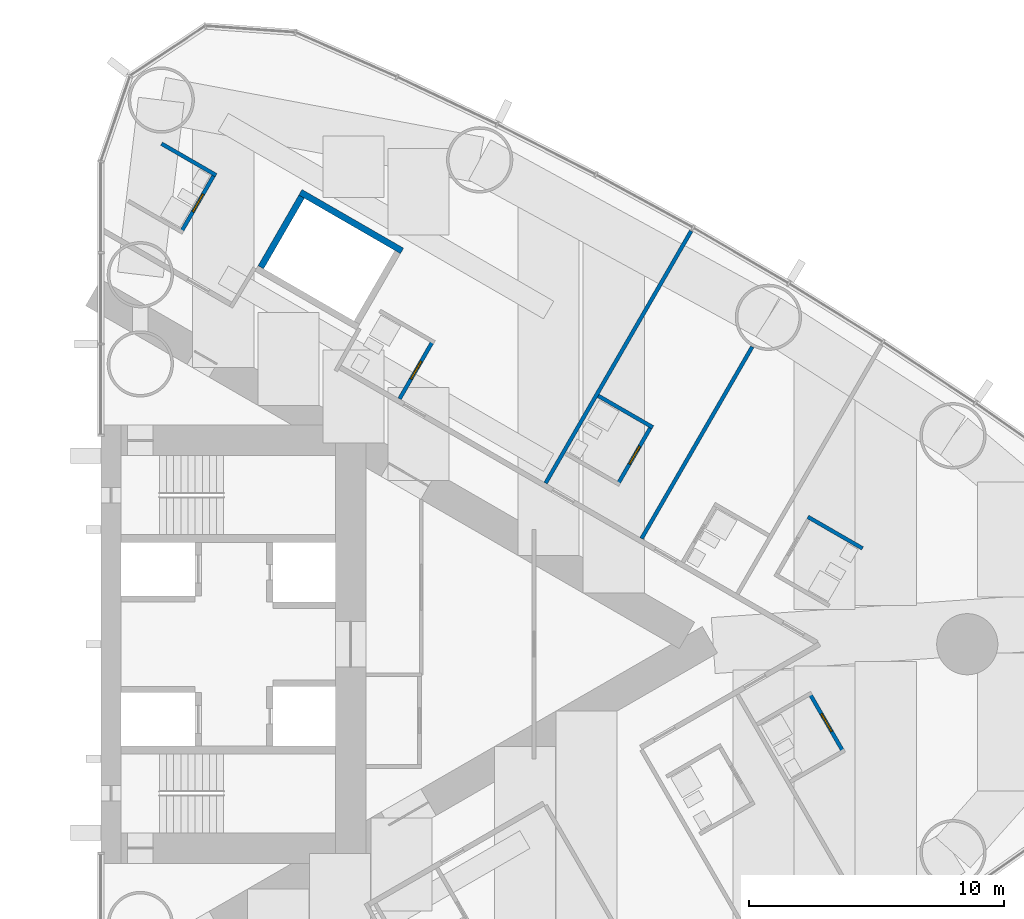
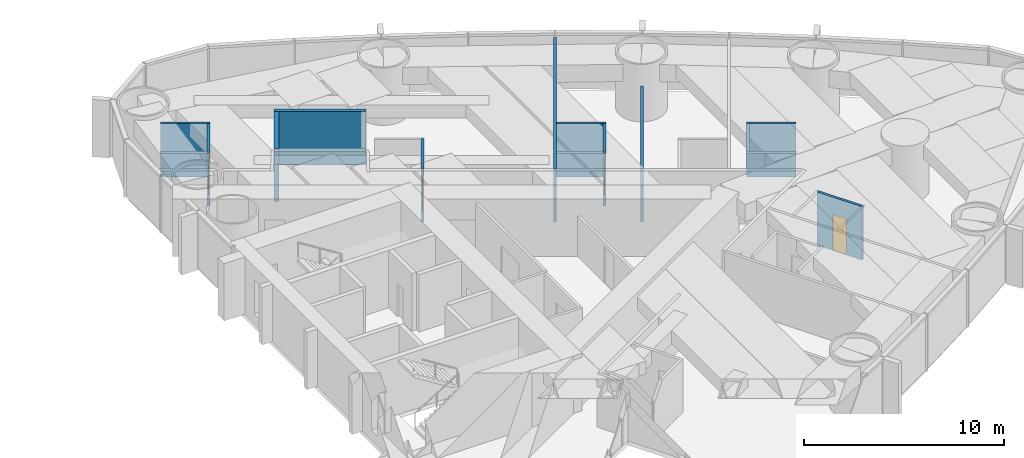
# One storey, part 15 of 18: 11 walls, 4 doors, 4 openings.
"""IFC4 building model written with IfcOpenShell, lengths in metres."""

from ifc_helpers import new_model, si_unit, direction, frame, frame_2d, origin, place, context, subcontext, project, spatial, rectangle, extrude, material, layer, layer_set, type_object, element, fill, save


model = new_model("IFC4")

# Units and contexts
model_context = context("Model", 3, precision=1e-05, world=origin(), true_north=direction((0.0, 1.0)))
body_context = subcontext(model_context, "Body", "Model", "MODEL_VIEW")
ifc_project = project(units=[si_unit("LENGTHUNIT", "METRE"), si_unit("AREAUNIT", "SQUARE_METRE"), si_unit("VOLUMEUNIT", "CUBIC_METRE"), si_unit("PLANEANGLEUNIT", "RADIAN"), si_unit("MASSUNIT", "GRAM", prefix="KILO")], contexts=[model_context])

# Site, building, storey
site_placement = place(None, origin())
site = spatial("IfcSite", under=ifc_project, at=site_placement, CompositionType="ELEMENT")
building_placement = place(site_placement, origin())
building = spatial("IfcBuilding", under=site, at=building_placement, Name="Lancet Gate Hotel", CompositionType="ELEMENT")
storey_placement = place(building_placement, frame((0.0, 0.0, 101.10009765625)))
storey = spatial("IfcBuildingStorey", under=building, at=storey_placement, Name="L26", CompositionType="ELEMENT", Elevation=101.10009765625)

# Wall, opening, door
ifc_material_1 = material(Name="Moisture resistant board partition")
ifc_layer_1 = layer(ifc_material_1, 0.14990234375)
ifc_layer_set_1 = layer_set([ifc_layer_1], Name="Bathroom wall 150")
wall_type_1 = type_object("IfcWallType", Name="Bathroom wall 150", PredefinedType="PARTITIONING", material=ifc_layer_set_1)
wall_1_placement = place(storey_placement, frame((55.32470703125, -1.949951171875, 0.0), z_axis=(0.0, 0.0, 1.0), x_axis=(0.500006934395, -0.866021400173, 0.0)))
wall_1 = element("IfcWall", 1, at=wall_1_placement, inside=storey, type_object=wall_type_1, Name="T2 bathroom wall 150 L26", PredefinedType="PARTITIONING", context=body_context, shape_type="SweptSolid", body=[
    extrude(rectangle(XDim=2.60009765625, YDim=0.14990234375, at=frame_2d((1.300048828125, 0.0))), origin(), (0.0, 0.0, 1.0), 3.25),
])
opening_1_placement = place(wall_1_placement, frame((0.89990234375, 0.0, 0.0)))
opening_1 = element("IfcOpeningElement", 2, at=opening_1_placement, cuts=wall_1, Name="Opening 2657-B", PredefinedType="OPENING", context=body_context, shape_type="SweptSolid", body=[
    extrude(rectangle(XDim=0.800048828125, YDim=2.199951171875, at=frame_2d((0.39990234375, 1.10009765625))), frame((0.0, 0.0849609375, 0.0), z_axis=(0.0, -1.0, 0.0), x_axis=(1.0, 0.0, 0.0)), (0.0, 0.0, 1.0), 0.169921875),
])
ifc_material_2 = material(Name="Timber door set", Category="wood")
door_type = type_object("IfcDoorType", Name="Bathroom door 800", OperationType="SINGLE_SWING_RIGHT", PredefinedType="DOOR", material=ifc_material_2)
door_1_placement = place(opening_1_placement, origin())
door_1 = element("IfcDoor", 3, at=door_1_placement, inside=storey, type_object=door_type, Name="2657-B", OperationType="SINGLE_SWING_RIGHT", OverallHeight=2.199951171875, OverallWidth=0.800048828125, PredefinedType="DOOR", context=body_context, shape_type="SweptSolid", body=[
    extrude(rectangle(XDim=0.800048828125, YDim=2.199951171875, at=frame_2d((0.39990234375, 1.10009765625))), frame((0.0, 0.02490234375, 0.0), z_axis=(0.0, -1.0, 0.0), x_axis=(1.0, 0.0, 0.0)), (0.0, 0.0, 1.0), 0.050048828125),
])
fill(opening_1, door_1)

# Walls
for number, where, z_axis, x_axis, name in (
    (4, (55.2451171875, 4.998291015625, 0.0), (0.0, 0.0, 1.0), (0.866006523861, -0.500032699561, 0.0), "T2 bathroom wall 150 L26"),
    (5, (47.0185546875, 9.747802734375, 0.0), (0.0, 0.0, 1.0), (0.866006523861, -0.500032699561, 0.0), "T2 bathroom wall 150 L26"),
):
    element("IfcWall", number, at=place(storey_placement, frame(where, z_axis=z_axis, x_axis=x_axis)), inside=storey, type_object=wall_type_1, Name=name, PredefinedType="PARTITIONING", context=body_context, shape_type="SweptSolid", body=[
        extrude(rectangle(XDim=2.474853515625, YDim=0.14990234375, at=frame_2d((1.2373046875, 0.0))), origin(), (0.0, 0.0, 1.0), 3.25),
    ])

# Wall, opening, door
wall_2_placement = place(storey_placement, frame((47.797119140625, 6.296142578125, 0.0), z_axis=(0.0, 0.0, 1.0), x_axis=(0.499936506574, 0.866062058628, 0.0)))
wall_2 = element("IfcWall", 6, at=wall_2_placement, inside=storey, type_object=wall_type_1, Name="T2 bathroom wall 150 L26", PredefinedType="PARTITIONING", context=body_context, shape_type="SweptSolid", body=[
    extrude(rectangle(XDim=2.599853515625, YDim=0.14990234375, at=frame_2d((1.2998046875, 0.0))), origin(), (0.0, 0.0, 1.0), 3.25),
])
opening_2_placement = place(wall_2_placement, frame((0.89990234375, 0.0, 0.0)))
opening_2 = element("IfcOpeningElement", 7, at=opening_2_placement, cuts=wall_2, Name="Opening 2660-B", PredefinedType="OPENING", context=body_context, shape_type="SweptSolid", body=[
    extrude(rectangle(XDim=0.800048828125, YDim=2.199951171875, at=frame_2d((0.39990234375, 1.10009765625))), frame((0.0, 0.0849609375, 0.0), z_axis=(0.0, -1.0, 0.0), x_axis=(1.0, 0.0, 0.0)), (0.0, 0.0, 1.0), 0.169921875),
])
door_2_placement = place(opening_2_placement, origin())
door_2 = element("IfcDoor", 8, at=door_2_placement, inside=storey, type_object=door_type, Name="2660-B", OperationType="SINGLE_SWING_RIGHT", OverallHeight=2.199951171875, OverallWidth=0.800048828125, PredefinedType="DOOR", context=body_context, shape_type="SweptSolid", body=[
    extrude(rectangle(XDim=0.800048828125, YDim=2.199951171875, at=frame_2d((0.39990234375, 1.10009765625))), frame((0.0, 0.02490234375, 0.0), z_axis=(0.0, -1.0, 0.0), x_axis=(1.0, 0.0, 0.0)), (0.0, 0.0, 1.0), 0.050048828125),
])
fill(opening_2, door_2)

wall_3_placement = place(storey_placement, frame((39.222412109375, 9.630126953125, 0.0), z_axis=(0.0, 0.0, 1.0), x_axis=(0.499936506574, 0.866062058628, 0.0)))
wall_3 = element("IfcWall", 9, at=wall_3_placement, inside=storey, type_object=wall_type_1, Name="T2 bathroom wall 150 L26", PredefinedType="PARTITIONING", context=body_context, shape_type="SweptSolid", body=[
    extrude(rectangle(XDim=2.599853515625, YDim=0.14990234375, at=frame_2d((1.2998046875, 0.0))), origin(), (0.0, 0.0, 1.0), 3.25),
])
opening_3_placement = place(wall_3_placement, frame((0.89990234375, 0.0, 0.0)))
opening_3 = element("IfcOpeningElement", 10, at=opening_3_placement, cuts=wall_3, Name="Opening 2661-B", PredefinedType="OPENING", context=body_context, shape_type="SweptSolid", body=[
    extrude(rectangle(XDim=0.800048828125, YDim=2.199951171875, at=frame_2d((0.39990234375, 1.10009765625))), frame((0.0, 0.0849609375, 0.0), z_axis=(0.0, -1.0, 0.0), x_axis=(1.0, 0.0, 0.0)), (0.0, 0.0, 1.0), 0.169921875),
])
door_3_placement = place(opening_3_placement, origin())
door_3 = element("IfcDoor", 11, at=door_3_placement, inside=storey, type_object=door_type, Name="2661-B", OperationType="SINGLE_SWING_RIGHT", OverallHeight=2.199951171875, OverallWidth=0.800048828125, PredefinedType="DOOR", context=body_context, shape_type="SweptSolid", body=[
    extrude(rectangle(XDim=0.800048828125, YDim=2.199951171875, at=frame_2d((0.39990234375, 1.10009765625))), frame((0.0, 0.02490234375, 0.0), z_axis=(0.0, -1.0, 0.0), x_axis=(1.0, 0.0, 0.0)), (0.0, 0.0, 1.0), 0.050048828125),
])
fill(opening_3, door_3)

# Wall
wall_4_placement = place(storey_placement, frame((29.8818359375, 19.6416015625, 0.0), z_axis=(0.0, 0.0, 1.0), x_axis=(0.866031185235, -0.4999899861, 0.0)))
element("IfcWall", 12, at=wall_4_placement, inside=storey, type_object=wall_type_1, Name="T2 bathroom wall 150 L26", PredefinedType="PARTITIONING", context=body_context, shape_type="SweptSolid", body=[
    extrude(rectangle(XDim=2.47509765625, YDim=0.14990234375, at=frame_2d((1.237548828125, 0.0))), origin(), (0.0, 0.0, 1.0), 3.25),
])

# Wall, opening, door
wall_5_placement = place(storey_placement, frame((30.660400390625, 16.18994140625, 0.0), z_axis=(0.0, 0.0, 1.0), x_axis=(0.499936506574, 0.866062058628, 0.0)))
wall_5 = element("IfcWall", 13, at=wall_5_placement, inside=storey, type_object=wall_type_1, Name="T2 bathroom wall 150 L26", PredefinedType="PARTITIONING", context=body_context, shape_type="SweptSolid", body=[
    extrude(rectangle(XDim=2.599853515625, YDim=0.14990234375, at=frame_2d((1.2998046875, 0.0))), origin(), (0.0, 0.0, 1.0), 3.25),
])
opening_4_placement = place(wall_5_placement, frame((0.89990234375, 0.0, 0.0)))
opening_4 = element("IfcOpeningElement", 14, at=opening_4_placement, cuts=wall_5, Name="Opening 2664-B", PredefinedType="OPENING", context=body_context, shape_type="SweptSolid", body=[
    extrude(rectangle(XDim=0.800048828125, YDim=2.199951171875, at=frame_2d((0.39990234375, 1.10009765625))), frame((0.0, 0.0849609375, 0.0), z_axis=(0.0, -1.0, 0.0), x_axis=(1.0, 0.0, 0.0)), (0.0, 0.0, 1.0), 0.169921875),
])
door_4_placement = place(opening_4_placement, origin())
door_4 = element("IfcDoor", 15, at=door_4_placement, inside=storey, type_object=door_type, Name="2664-B", OperationType="SINGLE_SWING_RIGHT", OverallHeight=2.199951171875, OverallWidth=0.800048828125, PredefinedType="DOOR", context=body_context, shape_type="SweptSolid", body=[
    extrude(rectangle(XDim=0.800048828125, YDim=2.199951171875, at=frame_2d((0.39990234375, 1.10009765625))), frame((0.0, 0.02490234375, 0.0), z_axis=(0.0, -1.0, 0.0), x_axis=(1.0, 0.0, 0.0)), (0.0, 0.0, 1.0), 0.050048828125),
])
fill(opening_4, door_4)

# Walls
ifc_material_3 = material(Name="Gypsum board partition")
ifc_layer_2 = layer(ifc_material_3, 0.25)
ifc_layer_set_2 = layer_set([ifc_layer_2], Name="Lift shaft partition 250")
wall_type_2 = type_object("IfcWallType", Name="Lift shaft partition 250", PredefinedType="PARTITIONING", material=ifc_layer_set_2)
wall_6_placement = place(storey_placement, frame((35.33349609375, 17.73583984375, 0.0), z_axis=(0.0, 0.0, 1.0), x_axis=(0.866043305498, -0.49996899204, 0.0)))
element("IfcWall", 16, at=wall_6_placement, inside=storey, type_object=wall_type_2, Name="T2 lift shaft wall EX L26", PredefinedType="PARTITIONING", context=body_context, shape_type="SweptSolid", body=[
    extrude(rectangle(XDim=4.600341796875, YDim=0.25, at=frame_2d((2.30029296875, 0.0))), origin(), (0.0, 0.0, 1.0), 3.25),
])
wall_7_placement = place(storey_placement, frame((33.779296875, 14.79296875, 0.0), z_axis=(0.0, 0.0, 1.0), x_axis=(0.499929347863, 0.866066190972, 0.0)))
element("IfcWall", 17, at=wall_7_placement, inside=storey, type_object=wall_type_2, Name="T2 lift shaft wall EX L26", PredefinedType="PARTITIONING", context=body_context, shape_type="SweptSolid", body=[
    extrude(rectangle(XDim=3.20068359375, YDim=0.25, at=frame_2d((1.600341796875, 0.0))), origin(), (0.0, 0.0, 1.0), 3.25),
])
ifc_material_4 = material(Name="Gypsum board partition")
ifc_layer_3 = layer(ifc_material_4, 0.14990234375)
ifc_layer_set_3 = layer_set([ifc_layer_3], Name="Party wall 150")
wall_type_3 = type_object("IfcWallType", Name="Party wall 150", PredefinedType="PARTITIONING", material=ifc_layer_set_3)
wall_8_placement = place(storey_placement, frame((44.95361328125, 6.3212890625, 0.0), z_axis=(0.0, 0.0, 1.0), x_axis=(0.500009815811, 0.866019736549, 0.0)))
element("IfcWall", 18, at=wall_8_placement, inside=storey, type_object=wall_type_3, Name="T2 party wall 150 L26", PredefinedType="PARTITIONING", context=body_context, shape_type="SweptSolid", body=[
    extrude(rectangle(XDim=11.423583984375, YDim=0.14990234375, at=frame_2d((5.7119140625, 0.0))), origin(), (0.0, 0.0, 1.0), 3.25),
])
wall_9_placement = place(storey_placement, frame((48.718505859375, 4.1474609375, 0.0), z_axis=(0.0, 0.0, 1.0), x_axis=(0.499993328235, 0.866029255696, 0.0)))
element("IfcWall", 19, at=wall_9_placement, inside=storey, type_object=wall_type_3, Name="T2 party wall 150 L26", PredefinedType="PARTITIONING", context=body_context, shape_type="SweptSolid", body=[
    extrude(rectangle(XDim=8.68603515625, YDim=0.14990234375, at=frame_2d((4.343017578125, 0.0))), origin(), (0.0, 0.0, 1.0), 2.199951171875),
])

save(model, "model.ifc")
